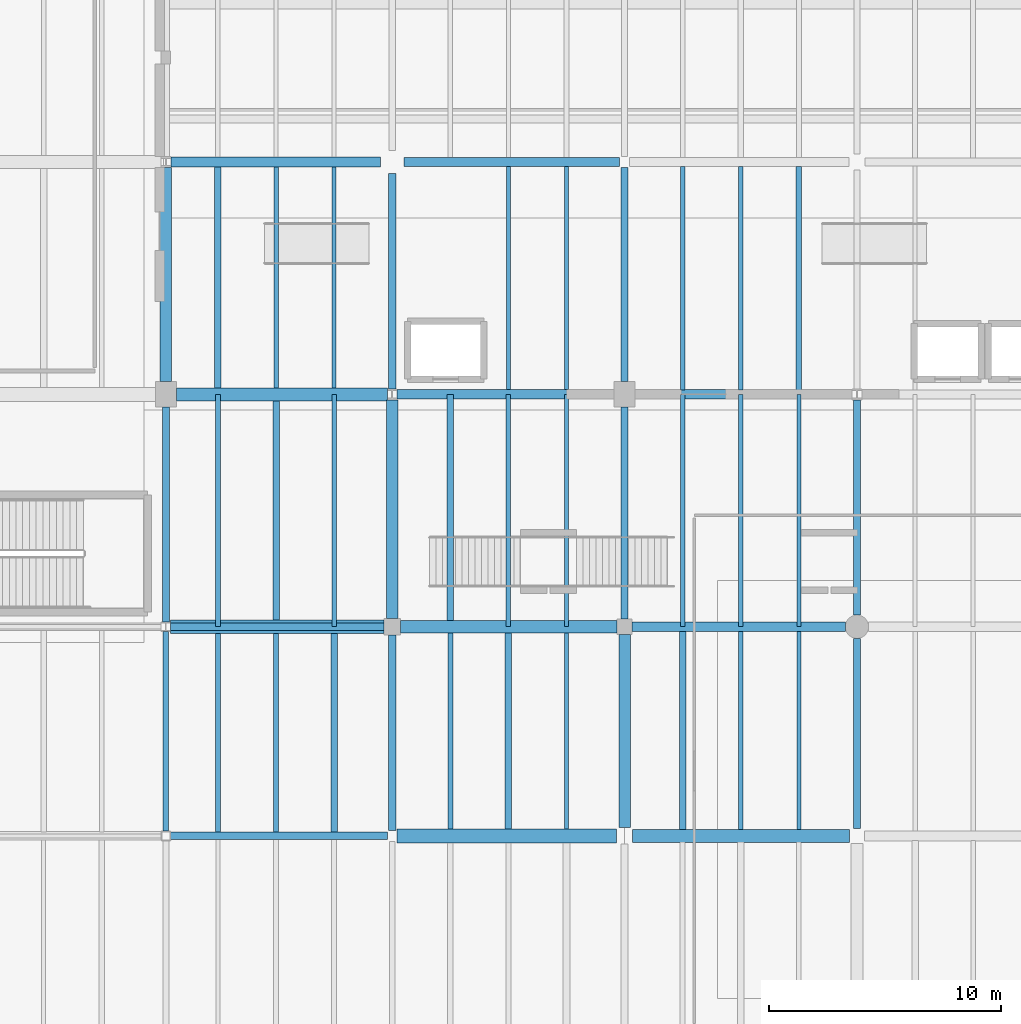
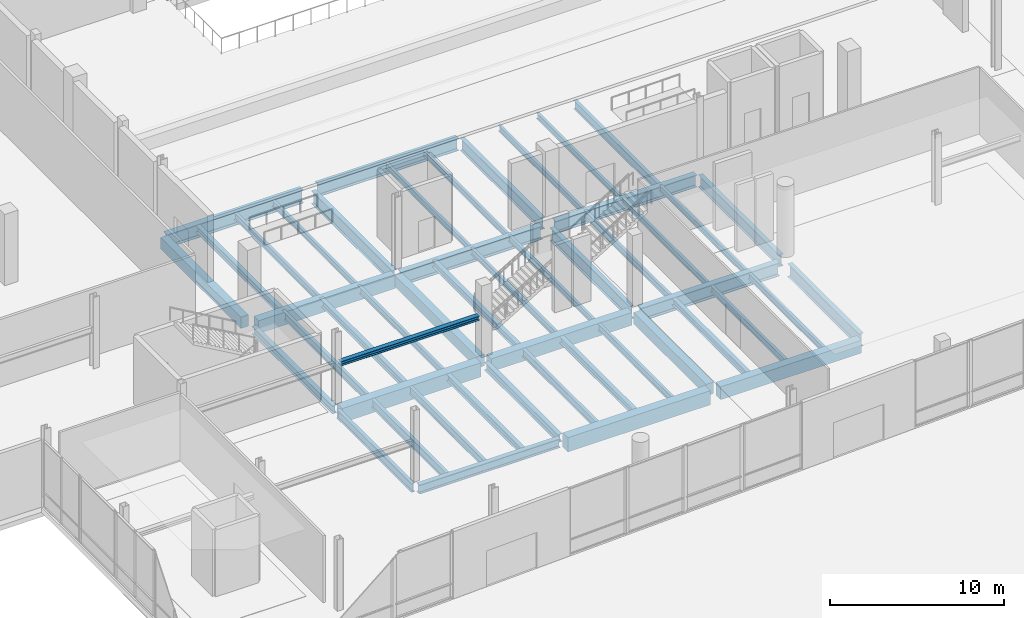
# One storey, part 32 of 88: 49 beams.
"""IFC4 building model written with IfcOpenShell, lengths in metres."""

from ifc_helpers import new_model, si_unit, direction, frame, origin, origin_2d, place, context, subcontext, project, spatial, rectangle, i_section, extrude, material, material_profile, profile_set, type_object, element, save


model = new_model("IFC4")

# Units and contexts
model_context = context("Model", 3, precision=1e-05, world=origin(), true_north=direction((0.0, 1.0)))
body_context = subcontext(model_context, "Body", "Model", "MODEL_VIEW")
ifc_project = project(units=[si_unit("LENGTHUNIT", "METRE"), si_unit("AREAUNIT", "SQUARE_METRE"), si_unit("VOLUMEUNIT", "CUBIC_METRE"), si_unit("PLANEANGLEUNIT", "RADIAN"), si_unit("MASSUNIT", "GRAM", prefix="KILO")], contexts=[model_context])

# Site, building, storey
site_placement = place(None, origin())
site = spatial("IfcSite", under=ifc_project, at=site_placement, CompositionType="ELEMENT")
building_placement = place(site_placement, origin())
building = spatial("IfcBuilding", under=site, at=building_placement, Name="Trimount Lyric Opera House", CompositionType="ELEMENT")
storey_placement = place(building_placement, origin())
storey = spatial("IfcBuildingStorey", under=building, at=storey_placement, Name="L00", CompositionType="ELEMENT", Elevation=0.0)

# Beams
ifc_material_1 = material(Name="Steel ASTM A992 Grade 50", Category="steel")
ifc_material_profile_1 = material_profile(ifc_material_1, i_section(OverallWidth=0.4189453125, OverallDepth=0.927001953125, WebThickness=0.019287109375, FlangeThickness=0.031982421875, FilletRadius=0.02392578125, at=origin_2d()), Name="W36X231")
ifc_profile_set_1 = profile_set([ifc_material_profile_1], Name="Steel ASTM A992 Grade 50")
beam_type_1 = type_object("IfcBeamType", Name="B-02", PredefinedType="BEAM", material=ifc_profile_set_1)
beam_1_placement = place(storey_placement, frame((84.324951171875, 44.0, -0.843505859375), z_axis=(1.0, 0.0, 0.0), x_axis=(0.0, 1.0, 0.0)))
element("IfcBeam", 1, at=beam_1_placement, inside=storey, type_object=beam_type_1, Name="L00 girder X-0093", PredefinedType="BEAM", context=body_context, shape_type="SweptSolid", body=[
    extrude(i_section(OverallWidth=0.4189453125, OverallDepth=0.927001953125, WebThickness=0.019287109375, FlangeThickness=0.031982421875, FilletRadius=0.02392578125, at=origin_2d()), origin(), (0.0, 0.0, 1.0), 9.175048828125),
])
beam_2_placement = place(storey_placement, frame((74.2109375, 54.0, -0.863525390625), z_axis=(1.0, 0.0, 0.0), x_axis=(0.0, 1.0, 0.0)))
element("IfcBeam", 2, at=beam_2_placement, inside=storey, type_object=beam_type_1, Name="L00 girder X-0111", PredefinedType="BEAM", context=body_context, shape_type="SweptSolid", body=[
    extrude(i_section(OverallWidth=0.4189453125, OverallDepth=0.927001953125, WebThickness=0.019287109375, FlangeThickness=0.031982421875, FilletRadius=0.02392578125, at=origin_2d()), origin(), (0.0, 0.0, 1.0), 9.339111328125),
])
beam_3_placement = place(storey_placement, frame((64.470947265625, 64.0, -0.863525390625), z_axis=(1.0, 0.0, 0.0), x_axis=(0.0, 1.0, 0.0)))
element("IfcBeam", 3, at=beam_3_placement, inside=storey, type_object=beam_type_1, Name="L00 girder X-0129", PredefinedType="BEAM", context=body_context, shape_type="SweptSolid", body=[
    extrude(i_section(OverallWidth=0.4189453125, OverallDepth=0.927001953125, WebThickness=0.019287109375, FlangeThickness=0.031982421875, FilletRadius=0.02392578125, at=origin_2d()), origin(), (0.0, 0.0, 1.0), 9.029052734375),
])
ifc_material_2 = material(Name="Steel ASTM A992 Grade 50", Category="steel")
ifc_material_profile_2 = material_profile(ifc_material_2, i_section(OverallWidth=0.304931640625, OverallDepth=0.9189453125, WebThickness=0.017333984375, FlangeThickness=0.02783203125, FilletRadius=0.02001953125, at=origin_2d()), Name="W36X170")
ifc_profile_set_2 = profile_set([ifc_material_profile_2], Name="Steel ASTM A992 Grade 50")
beam_type_2 = type_object("IfcBeamType", Name="B-03", PredefinedType="BEAM", material=ifc_profile_set_2)
beam_4_placement = place(storey_placement, frame((74.0, 54.232421875, -0.859619140625), z_axis=(0.0, 1.0, 0.0), x_axis=(-1.0, 0.0, 0.0)))
element("IfcBeam", 4, at=beam_4_placement, inside=storey, type_object=beam_type_2, Name="L00 girder Y-0327", PredefinedType="BEAM", context=body_context, shape_type="SweptSolid", body=[
    extrude(i_section(OverallWidth=0.304931640625, OverallDepth=0.9189453125, WebThickness=0.017333984375, FlangeThickness=0.02783203125, FilletRadius=0.02001953125, at=origin_2d()), origin(), (0.0, 0.0, 1.0), 9.267578125),
])
beam_5_placement = place(storey_placement, frame((84.0, 44.324951171875, -0.859619140625), z_axis=(0.0, 1.0, 0.0), x_axis=(-1.0, 0.0, 0.0)))
element("IfcBeam", 5, at=beam_5_placement, inside=storey, type_object=beam_type_2, Name="L00 girder Y-0338", PredefinedType="BEAM", context=body_context, shape_type="SweptSolid", body=[
    extrude(i_section(OverallWidth=0.304931640625, OverallDepth=0.9189453125, WebThickness=0.017333984375, FlangeThickness=0.02783203125, FilletRadius=0.02001953125, at=origin_2d()), origin(), (0.0, 0.0, 1.0), 9.125),
])
beam_6_placement = place(storey_placement, frame((94.0, 35.324951171875, -0.839599609375), z_axis=(0.0, 1.0, 0.0), x_axis=(-1.0, 0.0, 0.0)))
element("IfcBeam", 6, at=beam_6_placement, inside=storey, type_object=beam_type_2, Name="L00 girder Y-0349", PredefinedType="BEAM", context=body_context, shape_type="SweptSolid", body=[
    extrude(i_section(OverallWidth=0.304931640625, OverallDepth=0.9189453125, WebThickness=0.017333984375, FlangeThickness=0.02783203125, FilletRadius=0.02001953125, at=origin_2d()), origin(), (0.0, 0.0, 1.0), 8.175048828125),
])
ifc_material_3 = material(Name="Steel ASTM A992 Grade 50", Category="steel")
ifc_material_profile_3 = material_profile(ifc_material_3, i_section(OverallWidth=0.40087890625, OverallDepth=0.861083984375, WebThickness=0.019775390625, FlangeThickness=0.032470703125, FilletRadius=0.02001953125, at=origin_2d()), Name="W33X221")
ifc_profile_set_3 = profile_set([ifc_material_profile_3], Name="Steel ASTM A992 Grade 50")
beam_type_3 = type_object("IfcBeamType", Name="B-04", PredefinedType="BEAM", material=ifc_profile_set_3)
beam_7_placement = place(storey_placement, frame((84.449951171875, 54.0, -0.83056640625), z_axis=(1.0, 0.0, 0.0), x_axis=(0.0, 1.0, 0.0)))
element("IfcBeam", 7, at=beam_7_placement, inside=storey, type_object=beam_type_3, Name="L00 girder X-0112", PredefinedType="BEAM", context=body_context, shape_type="SweptSolid", body=[
    extrude(i_section(OverallWidth=0.40087890625, OverallDepth=0.861083984375, WebThickness=0.019775390625, FlangeThickness=0.032470703125, FilletRadius=0.02001953125, at=origin_2d()), origin(), (0.0, 0.0, 1.0), 9.339111328125),
])
beam_8_placement = place(storey_placement, frame((74.5, 64.0, -0.83056640625), z_axis=(1.0, 0.0, 0.0), x_axis=(0.0, 1.0, 0.0)))
element("IfcBeam", 8, at=beam_8_placement, inside=storey, type_object=beam_type_3, Name="L00 girder X-0130", PredefinedType="BEAM", context=body_context, shape_type="SweptSolid", body=[
    extrude(i_section(OverallWidth=0.40087890625, OverallDepth=0.861083984375, WebThickness=0.019775390625, FlangeThickness=0.032470703125, FilletRadius=0.02001953125, at=origin_2d()), origin(), (0.0, 0.0, 1.0), 9.2890625),
])
ifc_material_4 = material(Name="Steel ASTM A992 Grade 50", Category="steel")
ifc_material_profile_4 = material_profile(ifc_material_4, i_section(OverallWidth=0.2919921875, OverallDepth=0.845947265625, WebThickness=0.015380859375, FlangeThickness=0.0244140625, FilletRadius=0.01806640625, at=origin_2d()), Name="W33X141")
ifc_profile_set_4 = profile_set([ifc_material_profile_4], Name="Steel ASTM A992 Grade 50")
beam_type_4 = type_object("IfcBeamType", Name="B-05", PredefinedType="BEAM", material=ifc_profile_set_4)
beam_9_placement = place(storey_placement, frame((84.0, 54.550048828125, -0.822998046875), z_axis=(0.0, 1.0, 0.0), x_axis=(-1.0, 0.0, 0.0)))
element("IfcBeam", 9, at=beam_9_placement, inside=storey, type_object=beam_type_4, Name="L00 girder Y-0339", PredefinedType="BEAM", context=body_context, shape_type="SweptSolid", body=[
    extrude(i_section(OverallWidth=0.2919921875, OverallDepth=0.845947265625, WebThickness=0.015380859375, FlangeThickness=0.0244140625, FilletRadius=0.01806640625, at=origin_2d()), origin(), (0.0, 0.0, 1.0), 9.217529296875),
])
beam_10_placement = place(storey_placement, frame((94.0, 44.5, -0.822998046875), z_axis=(0.0, 1.0, 0.0), x_axis=(-1.0, 0.0, 0.0)))
element("IfcBeam", 10, at=beam_10_placement, inside=storey, type_object=beam_type_4, Name="L00 girder Y-0350", PredefinedType="BEAM", context=body_context, shape_type="SweptSolid", body=[
    extrude(i_section(OverallWidth=0.2919921875, OverallDepth=0.845947265625, WebThickness=0.015380859375, FlangeThickness=0.0244140625, FilletRadius=0.01806640625, at=origin_2d()), origin(), (0.0, 0.0, 1.0), 9.267578125),
])
ifc_material_5 = material(Name="Steel ASTM A992 Grade 50", Category="steel")
ifc_material_profile_5 = material_profile(ifc_material_5, i_section(OverallWidth=0.327880859375, OverallDepth=0.626953125, WebThickness=0.0166015625, FlangeThickness=0.027587890625, FilletRadius=0.01611328125, at=origin_2d()), Name="W24X146")
ifc_profile_set_5 = profile_set([ifc_material_profile_5], Name="Steel ASTM A992 Grade 50")
beam_type_5 = type_object("IfcBeamType", Name="B-10", PredefinedType="BEAM", material=ifc_profile_set_5)
beam_11_placement = place(storey_placement, frame((64.463134765625, 35.0, -0.693603515625), z_axis=(1.0, 0.0, 0.0), x_axis=(0.0, 1.0, 0.0)))
element("IfcBeam", 11, at=beam_11_placement, inside=storey, type_object=beam_type_5, Name="L00 girder X-0072", PredefinedType="BEAM", context=body_context, shape_type="SweptSolid", body=[
    extrude(i_section(OverallWidth=0.327880859375, OverallDepth=0.626953125, WebThickness=0.0166015625, FlangeThickness=0.027587890625, FilletRadius=0.01611328125, at=origin_2d()), origin(), (0.0, 0.0, 1.0), 9.325927734375),
])
ifc_material_6 = material(Name="Steel ASTM A992 Grade 50", Category="steel")
ifc_material_profile_6 = material_profile(ifc_material_6, i_section(OverallWidth=0.22998046875, OverallDepth=0.616943359375, WebThickness=0.01318359375, FlangeThickness=0.022216796875, FilletRadius=0.013916015625, at=origin_2d()), Name="W24X94")
ifc_profile_set_6 = profile_set([ifc_material_profile_6], Name="Steel ASTM A992 Grade 50")
beam_type_6 = type_object("IfcBeamType", Name="B-11", PredefinedType="BEAM", material=ifc_profile_set_6)
beam_12_placement = place(storey_placement, frame((64.260009765625, 35.203125, -0.6884765625), z_axis=(0.0, 1.0, 0.0), x_axis=(-1.0, 0.0, 0.0)))
element("IfcBeam", 12, at=beam_12_placement, inside=storey, type_object=beam_type_6, Name="L00 girder Y-0313", PredefinedType="BEAM", context=body_context, shape_type="SweptSolid", body=[
    extrude(i_section(OverallWidth=0.22998046875, OverallDepth=0.616943359375, WebThickness=0.01318359375, FlangeThickness=0.022216796875, FilletRadius=0.013916015625, at=origin_2d()), origin(), (0.0, 0.0, 1.0), 8.58837890625),
])
ifc_material_7 = material(Name="Steel ASTM A992 Grade 50", Category="steel")
ifc_material_profile_7 = material_profile(ifc_material_7, i_section(OverallWidth=0.31201171875, OverallDepth=0.5458984375, WebThickness=0.013916015625, FlangeThickness=0.022216796875, FilletRadius=0.014892578125, at=origin_2d()), Name="W21X111")
ifc_profile_set_7 = profile_set([ifc_material_profile_7], Name="Steel ASTM A992 Grade 50")
beam_type_7 = type_object("IfcBeamType", Name="B-12", PredefinedType="BEAM", material=ifc_profile_set_7)
beam_13_placement = place(storey_placement, frame((64.260009765625, 44.20849609375, -0.673095703125), z_axis=(0.0, 1.0, 0.0), x_axis=(-1.0, 0.0, 0.0)))
element("IfcBeam", 13, at=beam_13_placement, inside=storey, type_object=beam_type_7, Name="L00 girder Y-0314", PredefinedType="BEAM", context=body_context, shape_type="SweptSolid", body=[
    extrude(i_section(OverallWidth=0.31201171875, OverallDepth=0.5458984375, WebThickness=0.013916015625, FlangeThickness=0.022216796875, FilletRadius=0.014892578125, at=origin_2d()), origin(), (0.0, 0.0, 1.0), 9.241455078125),
])
beam_14_placement = place(storey_placement, frame((74.0, 35.232421875, -0.653076171875), z_axis=(0.0, 1.0, 0.0), x_axis=(-1.0, 0.0, 0.0)))
element("IfcBeam", 14, at=beam_14_placement, inside=storey, type_object=beam_type_7, Name="L00 girder Y-0325", PredefinedType="BEAM", context=body_context, shape_type="SweptSolid", body=[
    extrude(i_section(OverallWidth=0.31201171875, OverallDepth=0.5458984375, WebThickness=0.013916015625, FlangeThickness=0.022216796875, FilletRadius=0.014892578125, at=origin_2d()), origin(), (0.0, 0.0, 1.0), 8.41748046875),
])
ifc_material_8 = material(Name="Concrete C40/50", Category="concrete")
ifc_material_profile_8 = material_profile(ifc_material_8, rectangle(XDim=0.60009765625, YDim=1.0, at=origin_2d()), Name="RC600X1000")
ifc_profile_set_8 = profile_set([ifc_material_profile_8], Name="Concrete C40/50")
beam_type_8 = type_object("IfcBeamType", Name="B-13", PredefinedType="BEAM", material=ifc_profile_set_8)
beam_15_placement = place(storey_placement, frame((74.2109375, 35.0, -0.8798828125), z_axis=(1.0, 0.0, 0.0), x_axis=(0.0, 1.0, 0.0)))
element("IfcBeam", 15, at=beam_15_placement, inside=storey, type_object=beam_type_8, Name="L00 girder X-0073", PredefinedType="BEAM", context=body_context, shape_type="SweptSolid", body=[
    extrude(rectangle(XDim=0.60009765625, YDim=1.0, at=origin_2d()), origin(), (0.0, 0.0, 1.0), 9.43896484375),
])
beam_16_placement = place(storey_placement, frame((64.462890625, 44.0, -0.8798828125), z_axis=(1.0, 0.0, 0.0), x_axis=(0.0, 1.0, 0.0)))
element("IfcBeam", 16, at=beam_16_placement, inside=storey, type_object=beam_type_8, Name="L00 girder X-0091", PredefinedType="BEAM", context=body_context, shape_type="SweptSolid", body=[
    extrude(rectangle(XDim=0.60009765625, YDim=1.0, at=origin_2d()), origin(), (0.0, 0.0, 1.0), 9.18701171875),
])
ifc_material_9 = material(Name="Concrete C40/50", Category="concrete")
ifc_material_profile_9 = material_profile(ifc_material_9, rectangle(XDim=0.550048828125, YDim=0.89990234375, at=origin_2d()), Name="RC550X900")
ifc_profile_set_9 = profile_set([ifc_material_profile_9], Name="Concrete C40/50")
beam_type_9 = type_object("IfcBeamType", Name="B-14", PredefinedType="BEAM", material=ifc_profile_set_9)
for number, where, z_axis, x_axis, name in (
    (17, (84.35009765625, 35.0, -0.830078125), (1.0, 0.0, 0.0), (0.0, 1.0, 0.0), "L00 girder X-0074"),
    (18, (74.35009765625, 44.0, -0.830078125), (1.0, 0.0, 0.0), (0.0, 1.0, 0.0), "L00 girder X-0092"),
):
    element("IfcBeam", number, at=place(storey_placement, frame(where, z_axis=z_axis, x_axis=x_axis)), inside=storey, type_object=beam_type_9, Name=name, PredefinedType="BEAM", context=body_context, shape_type="SweptSolid", body=[
        extrude(rectangle(XDim=0.550048828125, YDim=0.89990234375, at=origin_2d()), origin(), (0.0, 0.0, 1.0), 9.324951171875),
    ])
beam_17_placement = place(storey_placement, frame((64.7099609375, 54.0, -0.85009765625), z_axis=(1.0, 0.0, 0.0), x_axis=(0.0, 1.0, 0.0)))
element("IfcBeam", 19, at=beam_17_placement, inside=storey, type_object=beam_type_9, Name="L00 girder X-0110", PredefinedType="BEAM", context=body_context, shape_type="SweptSolid", body=[
    extrude(rectangle(XDim=0.550048828125, YDim=0.89990234375, at=origin_2d()), origin(), (0.0, 0.0, 1.0), 9.0791015625),
])
ifc_material_10 = material(Name="Concrete C40/50", Category="concrete")
ifc_material_profile_10 = material_profile(ifc_material_10, rectangle(XDim=0.5, YDim=0.800048828125, at=origin_2d()), Name="RC500X800")
ifc_profile_set_10 = profile_set([ifc_material_profile_10], Name="Concrete C40/50")
beam_type_10 = type_object("IfcBeamType", Name="B-15", PredefinedType="BEAM", material=ifc_profile_set_10)
beam_18_placement = place(storey_placement, frame((64.260009765625, 54.550048828125, -0.800048828125), z_axis=(0.0, 1.0, 0.0), x_axis=(-1.0, 0.0, 0.0)))
element("IfcBeam", 20, at=beam_18_placement, inside=storey, type_object=beam_type_10, Name="L00 girder Y-0315", PredefinedType="BEAM", context=body_context, shape_type="SweptSolid", body=[
    extrude(rectangle(XDim=0.5, YDim=0.800048828125, at=origin_2d()), origin(), (0.0, 0.0, 1.0), 9.217529296875),
])
beam_19_placement = place(storey_placement, frame((74.0, 44.35009765625, -0.800048828125), z_axis=(0.0, 1.0, 0.0), x_axis=(-1.0, 0.0, 0.0)))
element("IfcBeam", 21, at=beam_19_placement, inside=storey, type_object=beam_type_10, Name="L00 girder Y-0326", PredefinedType="BEAM", context=body_context, shape_type="SweptSolid", body=[
    extrude(rectangle(XDim=0.5, YDim=0.800048828125, at=origin_2d()), origin(), (0.0, 0.0, 1.0), 9.41748046875),
])
beam_20_placement = place(storey_placement, frame((84.0, 35.35009765625, -0.780029296875), z_axis=(0.0, 1.0, 0.0), x_axis=(-1.0, 0.0, 0.0)))
element("IfcBeam", 22, at=beam_20_placement, inside=storey, type_object=beam_type_10, Name="L00 girder Y-0337", PredefinedType="BEAM", context=body_context, shape_type="SweptSolid", body=[
    extrude(rectangle(XDim=0.5, YDim=0.800048828125, at=origin_2d()), origin(), (0.0, 0.0, 1.0), 8.324951171875),
])
ifc_material_11 = material(Name="Steel ASTM A992 Grade 50", Category="steel")
ifc_material_profile_11 = material_profile(ifc_material_11, i_section(OverallWidth=0.22802734375, OverallDepth=0.60205078125, WebThickness=0.010498046875, FlangeThickness=0.014892578125, FilletRadius=0.012939453125, at=origin_2d()), Name="W24X68")
ifc_profile_set_11 = profile_set([ifc_material_profile_11], Name="Steel ASTM A992 Grade 50")
beam_type_11 = type_object("IfcBeamType", Name="J-01", PredefinedType="BEAM", material=ifc_profile_set_11)
beam_21_placement = place(storey_placement, frame((66.5, 35.159912109375, -0.680908203125), z_axis=(0.0, 1.0, 0.0), x_axis=(-1.0, 0.0, 0.0)))
element("IfcBeam", 23, at=beam_21_placement, inside=storey, type_object=beam_type_11, Name="L00 composite floor joist 0196", PredefinedType="BEAM", context=body_context, shape_type="SweptSolid", body=[
    extrude(i_section(OverallWidth=0.22802734375, OverallDepth=0.60205078125, WebThickness=0.010498046875, FlangeThickness=0.014892578125, FilletRadius=0.012939453125, at=origin_2d()), origin(), (0.0, 0.0, 1.0), 8.544189453125),
])
beam_22_placement = place(storey_placement, frame((91.5, 54.196533203125, -0.700927734375), z_axis=(0.0, 1.0, 0.0), x_axis=(-1.0, 0.0, 0.0)))
element("IfcBeam", 24, at=beam_22_placement, inside=storey, type_object=beam_type_11, Name="L00 composite floor joist 0262", PredefinedType="BEAM", context=body_context, shape_type="SweptSolid", body=[
    extrude(i_section(OverallWidth=0.22802734375, OverallDepth=0.60205078125, WebThickness=0.010498046875, FlangeThickness=0.014892578125, FilletRadius=0.012939453125, at=origin_2d()), origin(), (0.0, 0.0, 1.0), 9.616455078125),
])
ifc_material_12 = material(Name="Steel ASTM A992 Grade 50", Category="steel")
ifc_material_profile_12 = material_profile(ifc_material_12, i_section(OverallWidth=0.2099609375, OverallDepth=0.532958984375, WebThickness=0.01025390625, FlangeThickness=0.015625, FilletRadius=0.012939453125, at=origin_2d()), Name="W21X62")
ifc_profile_set_12 = profile_set([ifc_material_profile_12], Name="Steel ASTM A992 Grade 50")
beam_type_12 = type_object("IfcBeamType", Name="J-02", PredefinedType="BEAM", material=ifc_profile_set_12)
beam_23_placement = place(storey_placement, frame((69.0, 35.159912109375, -0.646484375), z_axis=(0.0, 1.0, 0.0), x_axis=(-1.0, 0.0, 0.0)))
element("IfcBeam", 25, at=beam_23_placement, inside=storey, type_object=beam_type_12, Name="L00 composite floor joist 0197", PredefinedType="BEAM", context=body_context, shape_type="SweptSolid", body=[
    extrude(i_section(OverallWidth=0.2099609375, OverallDepth=0.532958984375, WebThickness=0.01025390625, FlangeThickness=0.015625, FilletRadius=0.012939453125, at=origin_2d()), origin(), (0.0, 0.0, 1.0), 8.544189453125),
])
beam_24_placement = place(storey_placement, frame((66.5, 44.011962890625, -0.66650390625), z_axis=(0.0, 1.0, 0.0), x_axis=(-1.0, 0.0, 0.0)))
element("IfcBeam", 26, at=beam_24_placement, inside=storey, type_object=beam_type_12, Name="L00 composite floor joist 0199", PredefinedType="BEAM", context=body_context, shape_type="SweptSolid", body=[
    extrude(i_section(OverallWidth=0.2099609375, OverallDepth=0.532958984375, WebThickness=0.01025390625, FlangeThickness=0.015625, FilletRadius=0.012939453125, at=origin_2d()), origin(), (0.0, 0.0, 1.0), 9.97607421875),
])
beam_25_placement = place(storey_placement, frame((76.5, 35.2958984375, -0.646484375), z_axis=(0.0, 1.0, 0.0), x_axis=(-1.0, 0.0, 0.0)))
element("IfcBeam", 27, at=beam_25_placement, inside=storey, type_object=beam_type_12, Name="L00 composite floor joist 0226", PredefinedType="BEAM", context=body_context, shape_type="SweptSolid", body=[
    extrude(i_section(OverallWidth=0.2099609375, OverallDepth=0.532958984375, WebThickness=0.01025390625, FlangeThickness=0.015625, FilletRadius=0.012939453125, at=origin_2d()), origin(), (0.0, 0.0, 1.0), 8.43310546875),
])
ifc_material_13 = material(Name="Steel ASTM A992 Grade 50", Category="steel")
ifc_material_profile_13 = material_profile(ifc_material_13, i_section(OverallWidth=0.281982421875, OverallDepth=0.467041015625, WebThickness=0.01220703125, FlangeThickness=0.01953125, FilletRadius=0.012939453125, at=origin_2d()), Name="W18X86")
ifc_profile_set_13 = profile_set([ifc_material_profile_13], Name="Steel ASTM A992 Grade 50")
beam_type_13 = type_object("IfcBeamType", Name="J-03", PredefinedType="BEAM", material=ifc_profile_set_13)
beam_26_placement = place(storey_placement, frame((71.5, 35.159912109375, -0.613525390625), z_axis=(0.0, 1.0, 0.0), x_axis=(-1.0, 0.0, 0.0)))
element("IfcBeam", 28, at=beam_26_placement, inside=storey, type_object=beam_type_13, Name="L00 composite floor joist 0198", PredefinedType="BEAM", context=body_context, shape_type="SweptSolid", body=[
    extrude(i_section(OverallWidth=0.281982421875, OverallDepth=0.467041015625, WebThickness=0.01220703125, FlangeThickness=0.01953125, FilletRadius=0.012939453125, at=origin_2d()), origin(), (0.0, 0.0, 1.0), 8.544189453125),
])
beam_27_placement = place(storey_placement, frame((69.0, 44.011962890625, -0.633544921875), z_axis=(0.0, 1.0, 0.0), x_axis=(-1.0, 0.0, 0.0)))
element("IfcBeam", 29, at=beam_27_placement, inside=storey, type_object=beam_type_13, Name="L00 composite floor joist 0200", PredefinedType="BEAM", context=body_context, shape_type="SweptSolid", body=[
    extrude(i_section(OverallWidth=0.281982421875, OverallDepth=0.467041015625, WebThickness=0.01220703125, FlangeThickness=0.01953125, FilletRadius=0.012939453125, at=origin_2d()), origin(), (0.0, 0.0, 1.0), 9.97607421875),
])
beam_28_placement = place(storey_placement, frame((66.5, 54.27099609375, -0.633544921875), z_axis=(0.0, 1.0, 0.0), x_axis=(-1.0, 0.0, 0.0)))
element("IfcBeam", 30, at=beam_28_placement, inside=storey, type_object=beam_type_13, Name="L00 composite floor joist 0202", PredefinedType="BEAM", context=body_context, shape_type="SweptSolid", body=[
    extrude(i_section(OverallWidth=0.281982421875, OverallDepth=0.467041015625, WebThickness=0.01220703125, FlangeThickness=0.01953125, FilletRadius=0.012939453125, at=origin_2d()), origin(), (0.0, 0.0, 1.0), 9.5234375),
])
beam_29_placement = place(storey_placement, frame((79.0, 35.2958984375, -0.613525390625), z_axis=(0.0, 1.0, 0.0), x_axis=(-1.0, 0.0, 0.0)))
element("IfcBeam", 31, at=beam_29_placement, inside=storey, type_object=beam_type_13, Name="L00 composite floor joist 0227", PredefinedType="BEAM", context=body_context, shape_type="SweptSolid", body=[
    extrude(i_section(OverallWidth=0.281982421875, OverallDepth=0.467041015625, WebThickness=0.01220703125, FlangeThickness=0.01953125, FilletRadius=0.012939453125, at=origin_2d()), origin(), (0.0, 0.0, 1.0), 8.43310546875),
])
beam_30_placement = place(storey_placement, frame((76.5, 44.011962890625, -0.633544921875), z_axis=(0.0, 1.0, 0.0), x_axis=(-1.0, 0.0, 0.0)))
element("IfcBeam", 32, at=beam_30_placement, inside=storey, type_object=beam_type_13, Name="L00 composite floor joist 0229", PredefinedType="BEAM", context=body_context, shape_type="SweptSolid", body=[
    extrude(i_section(OverallWidth=0.281982421875, OverallDepth=0.467041015625, WebThickness=0.01220703125, FlangeThickness=0.01953125, FilletRadius=0.012939453125, at=origin_2d()), origin(), (0.0, 0.0, 1.0), 9.97607421875),
])
beam_31_placement = place(storey_placement, frame((86.5, 35.27099609375, -0.613525390625), z_axis=(0.0, 1.0, 0.0), x_axis=(-1.0, 0.0, 0.0)))
element("IfcBeam", 33, at=beam_31_placement, inside=storey, type_object=beam_type_13, Name="L00 composite floor joist 0254", PredefinedType="BEAM", context=body_context, shape_type="SweptSolid", body=[
    extrude(i_section(OverallWidth=0.281982421875, OverallDepth=0.467041015625, WebThickness=0.01220703125, FlangeThickness=0.01953125, FilletRadius=0.012939453125, at=origin_2d()), origin(), (0.0, 0.0, 1.0), 8.5234375),
])
ifc_material_14 = material(Name="Steel ASTM A992 Grade 50", Category="steel")
ifc_material_profile_14 = material_profile(ifc_material_14, i_section(OverallWidth=0.19091796875, OverallDepth=0.45703125, WebThickness=0.009033203125, FlangeThickness=0.014404296875, FilletRadius=0.010986328125, at=origin_2d()), Name="W18X50")
ifc_profile_set_14 = profile_set([ifc_material_profile_14], Name="Steel ASTM A992 Grade 50")
beam_type_14 = type_object("IfcBeamType", Name="J-04", PredefinedType="BEAM", material=ifc_profile_set_14)
beam_32_placement = place(storey_placement, frame((71.5, 44.011962890625, -0.62841796875), z_axis=(0.0, 1.0, 0.0), x_axis=(-1.0, 0.0, 0.0)))
element("IfcBeam", 34, at=beam_32_placement, inside=storey, type_object=beam_type_14, Name="L00 composite floor joist 0201", PredefinedType="BEAM", context=body_context, shape_type="SweptSolid", body=[
    extrude(i_section(OverallWidth=0.19091796875, OverallDepth=0.45703125, WebThickness=0.009033203125, FlangeThickness=0.014404296875, FilletRadius=0.010986328125, at=origin_2d()), origin(), (0.0, 0.0, 1.0), 9.97607421875),
])
beam_33_placement = place(storey_placement, frame((69.0, 54.27099609375, -0.62841796875), z_axis=(0.0, 1.0, 0.0), x_axis=(-1.0, 0.0, 0.0)))
element("IfcBeam", 35, at=beam_33_placement, inside=storey, type_object=beam_type_14, Name="L00 composite floor joist 0203", PredefinedType="BEAM", context=body_context, shape_type="SweptSolid", body=[
    extrude(i_section(OverallWidth=0.19091796875, OverallDepth=0.45703125, WebThickness=0.009033203125, FlangeThickness=0.014404296875, FilletRadius=0.010986328125, at=origin_2d()), origin(), (0.0, 0.0, 1.0), 9.5234375),
])
beam_34_placement = place(storey_placement, frame((81.5, 35.2958984375, -0.6083984375), z_axis=(0.0, 1.0, 0.0), x_axis=(-1.0, 0.0, 0.0)))
element("IfcBeam", 36, at=beam_34_placement, inside=storey, type_object=beam_type_14, Name="L00 composite floor joist 0228", PredefinedType="BEAM", context=body_context, shape_type="SweptSolid", body=[
    extrude(i_section(OverallWidth=0.19091796875, OverallDepth=0.45703125, WebThickness=0.009033203125, FlangeThickness=0.014404296875, FilletRadius=0.010986328125, at=origin_2d()), origin(), (0.0, 0.0, 1.0), 8.43310546875),
])
beam_35_placement = place(storey_placement, frame((79.0, 44.011962890625, -0.62841796875), z_axis=(0.0, 1.0, 0.0), x_axis=(-1.0, 0.0, 0.0)))
element("IfcBeam", 37, at=beam_35_placement, inside=storey, type_object=beam_type_14, Name="L00 composite floor joist 0230", PredefinedType="BEAM", context=body_context, shape_type="SweptSolid", body=[
    extrude(i_section(OverallWidth=0.19091796875, OverallDepth=0.45703125, WebThickness=0.009033203125, FlangeThickness=0.014404296875, FilletRadius=0.010986328125, at=origin_2d()), origin(), (0.0, 0.0, 1.0), 9.97607421875),
])
beam_36_placement = place(storey_placement, frame((89.0, 35.27099609375, -0.6083984375), z_axis=(0.0, 1.0, 0.0), x_axis=(-1.0, 0.0, 0.0)))
element("IfcBeam", 38, at=beam_36_placement, inside=storey, type_object=beam_type_14, Name="L00 composite floor joist 0255", PredefinedType="BEAM", context=body_context, shape_type="SweptSolid", body=[
    extrude(i_section(OverallWidth=0.19091796875, OverallDepth=0.45703125, WebThickness=0.009033203125, FlangeThickness=0.014404296875, FilletRadius=0.010986328125, at=origin_2d()), origin(), (0.0, 0.0, 1.0), 8.5234375),
])
beam_37_placement = place(storey_placement, frame((86.5, 44.011962890625, -0.62841796875), z_axis=(0.0, 1.0, 0.0), x_axis=(-1.0, 0.0, 0.0)))
element("IfcBeam", 39, at=beam_37_placement, inside=storey, type_object=beam_type_14, Name="L00 composite floor joist 0257", PredefinedType="BEAM", context=body_context, shape_type="SweptSolid", body=[
    extrude(i_section(OverallWidth=0.19091796875, OverallDepth=0.45703125, WebThickness=0.009033203125, FlangeThickness=0.014404296875, FilletRadius=0.010986328125, at=origin_2d()), origin(), (0.0, 0.0, 1.0), 9.97607421875),
])
ifc_material_15 = material(Name="Steel ASTM A992 Grade 50", Category="steel")
ifc_material_profile_15 = material_profile(ifc_material_15, i_section(OverallWidth=0.180908203125, OverallDepth=0.4169921875, WebThickness=0.010986328125, FlangeThickness=0.018310546875, FilletRadius=0.010986328125, at=origin_2d()), Name="W16X57")
ifc_profile_set_15 = profile_set([ifc_material_profile_15], Name="Steel ASTM A992 Grade 50")
beam_type_15 = type_object("IfcBeamType", Name="J-05", PredefinedType="BEAM", material=ifc_profile_set_15)
beam_38_placement = place(storey_placement, frame((71.5, 54.27099609375, -0.6083984375), z_axis=(0.0, 1.0, 0.0), x_axis=(-1.0, 0.0, 0.0)))
element("IfcBeam", 40, at=beam_38_placement, inside=storey, type_object=beam_type_15, Name="L00 composite floor joist 0204", PredefinedType="BEAM", context=body_context, shape_type="SweptSolid", body=[
    extrude(i_section(OverallWidth=0.180908203125, OverallDepth=0.4169921875, WebThickness=0.010986328125, FlangeThickness=0.018310546875, FilletRadius=0.010986328125, at=origin_2d()), origin(), (0.0, 0.0, 1.0), 9.5234375),
])
beam_39_placement = place(storey_placement, frame((81.5, 44.011962890625, -0.6083984375), z_axis=(0.0, 1.0, 0.0), x_axis=(-1.0, 0.0, 0.0)))
element("IfcBeam", 41, at=beam_39_placement, inside=storey, type_object=beam_type_15, Name="L00 composite floor joist 0231", PredefinedType="BEAM", context=body_context, shape_type="SweptSolid", body=[
    extrude(i_section(OverallWidth=0.180908203125, OverallDepth=0.4169921875, WebThickness=0.010986328125, FlangeThickness=0.018310546875, FilletRadius=0.010986328125, at=origin_2d()), origin(), (0.0, 0.0, 1.0), 9.97607421875),
])
beam_40_placement = place(storey_placement, frame((79.0, 54.20556640625, -0.6083984375), z_axis=(0.0, 1.0, 0.0), x_axis=(-1.0, 0.0, 0.0)))
element("IfcBeam", 42, at=beam_40_placement, inside=storey, type_object=beam_type_15, Name="L00 composite floor joist 0232", PredefinedType="BEAM", context=body_context, shape_type="SweptSolid", body=[
    extrude(i_section(OverallWidth=0.180908203125, OverallDepth=0.4169921875, WebThickness=0.010986328125, FlangeThickness=0.018310546875, FilletRadius=0.010986328125, at=origin_2d()), origin(), (0.0, 0.0, 1.0), 9.597900390625),
])
beam_41_placement = place(storey_placement, frame((91.5, 35.27099609375, -0.58837890625), z_axis=(0.0, 1.0, 0.0), x_axis=(-1.0, 0.0, 0.0)))
element("IfcBeam", 43, at=beam_41_placement, inside=storey, type_object=beam_type_15, Name="L00 composite floor joist 0256", PredefinedType="BEAM", context=body_context, shape_type="SweptSolid", body=[
    extrude(i_section(OverallWidth=0.180908203125, OverallDepth=0.4169921875, WebThickness=0.010986328125, FlangeThickness=0.018310546875, FilletRadius=0.010986328125, at=origin_2d()), origin(), (0.0, 0.0, 1.0), 8.5234375),
])
beam_42_placement = place(storey_placement, frame((89.0, 44.011962890625, -0.6083984375), z_axis=(0.0, 1.0, 0.0), x_axis=(-1.0, 0.0, 0.0)))
element("IfcBeam", 44, at=beam_42_placement, inside=storey, type_object=beam_type_15, Name="L00 composite floor joist 0258", PredefinedType="BEAM", context=body_context, shape_type="SweptSolid", body=[
    extrude(i_section(OverallWidth=0.180908203125, OverallDepth=0.4169921875, WebThickness=0.010986328125, FlangeThickness=0.018310546875, FilletRadius=0.010986328125, at=origin_2d()), origin(), (0.0, 0.0, 1.0), 9.97607421875),
])
beam_43_placement = place(storey_placement, frame((86.5, 54.196533203125, -0.6083984375), z_axis=(0.0, 1.0, 0.0), x_axis=(-1.0, 0.0, 0.0)))
element("IfcBeam", 45, at=beam_43_placement, inside=storey, type_object=beam_type_15, Name="L00 composite floor joist 0260", PredefinedType="BEAM", context=body_context, shape_type="SweptSolid", body=[
    extrude(i_section(OverallWidth=0.180908203125, OverallDepth=0.4169921875, WebThickness=0.010986328125, FlangeThickness=0.018310546875, FilletRadius=0.010986328125, at=origin_2d()), origin(), (0.0, 0.0, 1.0), 9.616455078125),
])
ifc_material_16 = material(Name="Steel ASTM A992 Grade 50", Category="steel")
ifc_material_profile_16 = material_profile(ifc_material_16, i_section(OverallWidth=0.177978515625, OverallDepth=0.404052734375, WebThickness=0.007568359375, FlangeThickness=0.010986328125, FilletRadius=0.010009765625, at=origin_2d()), Name="W16X36")
ifc_profile_set_16 = profile_set([ifc_material_profile_16], Name="Steel ASTM A992 Grade 50")
beam_type_16 = type_object("IfcBeamType", Name="J-06", PredefinedType="BEAM", material=ifc_profile_set_16)
beam_44_placement = place(storey_placement, frame((81.5, 54.20556640625, -0.60205078125), z_axis=(0.0, 1.0, 0.0), x_axis=(-1.0, 0.0, 0.0)))
element("IfcBeam", 46, at=beam_44_placement, inside=storey, type_object=beam_type_16, Name="L00 composite floor joist 0233", PredefinedType="BEAM", context=body_context, shape_type="SweptSolid", body=[
    extrude(i_section(OverallWidth=0.177978515625, OverallDepth=0.404052734375, WebThickness=0.007568359375, FlangeThickness=0.010986328125, FilletRadius=0.010009765625, at=origin_2d()), origin(), (0.0, 0.0, 1.0), 9.597900390625),
])
beam_45_placement = place(storey_placement, frame((91.5, 44.011962890625, -0.60205078125), z_axis=(0.0, 1.0, 0.0), x_axis=(-1.0, 0.0, 0.0)))
element("IfcBeam", 47, at=beam_45_placement, inside=storey, type_object=beam_type_16, Name="L00 composite floor joist 0259", PredefinedType="BEAM", context=body_context, shape_type="SweptSolid", body=[
    extrude(i_section(OverallWidth=0.177978515625, OverallDepth=0.404052734375, WebThickness=0.007568359375, FlangeThickness=0.010986328125, FilletRadius=0.010009765625, at=origin_2d()), origin(), (0.0, 0.0, 1.0), 9.97607421875),
])
beam_46_placement = place(storey_placement, frame((89.0, 54.196533203125, -0.60205078125), z_axis=(0.0, 1.0, 0.0), x_axis=(-1.0, 0.0, 0.0)))
element("IfcBeam", 48, at=beam_46_placement, inside=storey, type_object=beam_type_16, Name="L00 composite floor joist 0261", PredefinedType="BEAM", context=body_context, shape_type="SweptSolid", body=[
    extrude(i_section(OverallWidth=0.177978515625, OverallDepth=0.404052734375, WebThickness=0.007568359375, FlangeThickness=0.010986328125, FilletRadius=0.010009765625, at=origin_2d()), origin(), (0.0, 0.0, 1.0), 9.616455078125),
])
ifc_material_17 = material(Name="Steel ASTM A992 Grade 50", Category="steel")
ifc_material_profile_17 = material_profile(ifc_material_17, i_section(OverallWidth=0.304931640625, OverallDepth=0.306884765625, WebThickness=0.010009765625, FlangeThickness=0.015380859375, FilletRadius=0.012939453125, at=origin_2d()), Name="W12X65")
ifc_profile_set_17 = profile_set([ifc_material_profile_17], Name="Steel ASTM A992 Grade 50")
beam_type_17 = type_object("IfcBeamType", Name="LN-01", PredefinedType="LINTEL", material=ifc_profile_set_17)
beam_47_placement = place(storey_placement, frame((64.462890625, 44.0, 2.64990234375), z_axis=(1.0, 0.0, 0.0), x_axis=(0.0, 1.0, 0.0)))
element("IfcBeam", 49, at=beam_47_placement, inside=storey, type_object=beam_type_17, Name="L00 interior portal lintel 07", PredefinedType="LINTEL", context=body_context, shape_type="SweptSolid", body=[
    extrude(i_section(OverallWidth=0.304931640625, OverallDepth=0.306884765625, WebThickness=0.010009765625, FlangeThickness=0.015380859375, FilletRadius=0.012939453125, at=origin_2d()), origin(), (0.0, 0.0, 1.0), 9.18701171875),
])

save(model, "model.ifc")
